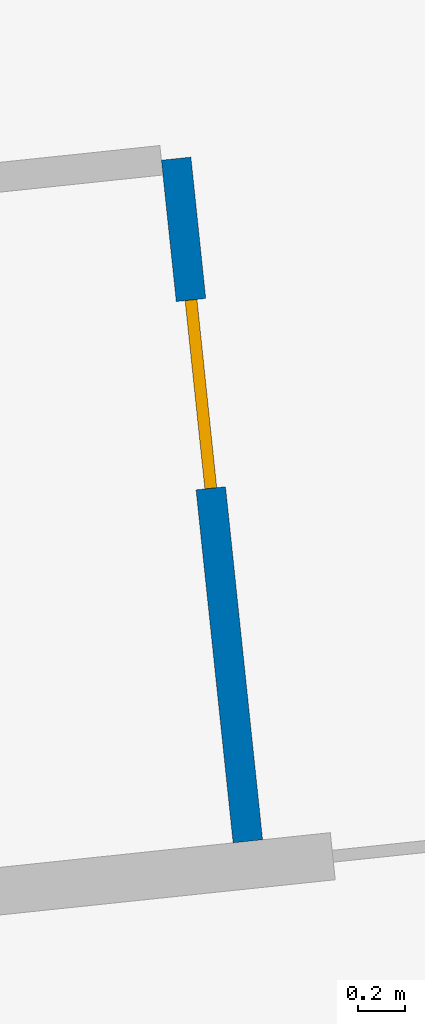
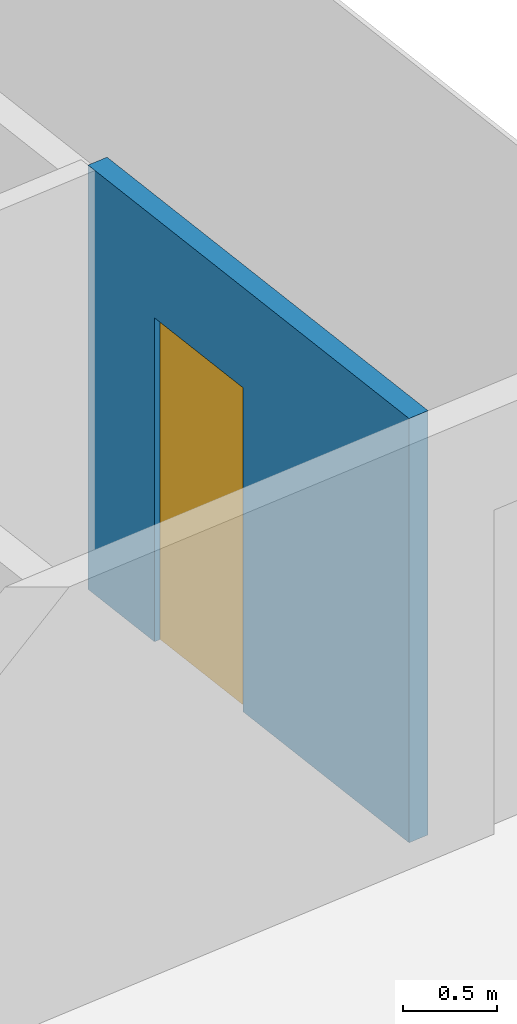
# One storey, part 18 of 27: 1 door, 1 wall, 1 opening.
"""IFC4 building model written with IfcOpenShell, lengths in metres."""

import ifcopenshell
import ifcopenshell.guid

model = None  # the IFC model being written
_history = None  # IfcOwnerHistory: only IFC2X3 demands one
_inside = {}  # id of a spatial element -> (the spatial element, [elements in it])
_under = {}  # id of a project, library or spatial element -> (it, [spatial elements below it])
_declared = {}  # id of a project -> (the project, [libraries it declares])
_typed = {}  # id of a type object -> (the type object, [elements of that type])
_made_of = {}  # id of a material, layer set ... -> (it, [elements and type objects made of it])


def new_model(schema):
    """Start an empty IFC model of exactly this schema.

    Asked for "IFC4X3", IfcOpenShell would pick the latest addendum, in which some entities
    have other attributes; the version numbers below select the first issue.
    IFC2X3 requires an IfcOwnerHistory on every rooted entity: one is made here for all.
    """
    global model, _history
    if schema == "IFC4X3":
        model = ifcopenshell.file(schema_version=(4, 3, 0, 0))
    else:
        model = ifcopenshell.file(schema=schema)
    _inside.clear()
    _under.clear()
    _declared.clear()
    _typed.clear()
    _made_of.clear()
    _history = None
    if model.schema == "IFC2X3":
        org = make("IfcOrganization", Name="unknown")
        user = make(
            "IfcPersonAndOrganization",
            ThePerson=make("IfcPerson", FamilyName="unknown"),
            TheOrganization=org,
        )
        app = make(
            "IfcApplication",
            ApplicationDeveloper=org,
            Version="unknown",
            ApplicationFullName="unknown",
            ApplicationIdentifier="unknown",
        )
        _history = make(
            "IfcOwnerHistory",
            OwningUser=user,
            OwningApplication=app,
            ChangeAction="ADDED",
            CreationDate=0,
        )
    return model


def make(cls, **values):
    """One entity of the class cls with the attributes given. An attribute that is None is left unset."""
    return model.create_entity(
        cls, **{name: value for name, value in values.items() if value is not None}
    )


def rooted(cls, **values):
    """An entity with a GlobalId (a new one), such as an element, a storey or a relation."""
    return make(cls, GlobalId=ifcopenshell.guid.new(), OwnerHistory=_history, **values)


def si_unit(unit_type, name, prefix=None):
    """IfcSIUnit, for example si_unit("LENGTHUNIT", "METRE", prefix="MILLI")."""
    return make("IfcSIUnit", UnitType=unit_type, Prefix=prefix, Name=name)


def assignment(units):
    """IfcUnitAssignment: the units of a project."""
    return None if units is None else make("IfcUnitAssignment", Units=units)


def point(xyz):
    """IfcCartesianPoint."""
    return None if xyz is None else make("IfcCartesianPoint", Coordinates=xyz)


def direction(xyz):
    """IfcDirection."""
    return None if xyz is None else make("IfcDirection", DirectionRatios=xyz)


def frame(location, z_axis=None, x_axis=None):
    """IfcAxis2Placement3D, a coordinate frame: its origin and axes. An axis left out is left unset."""
    return make(
        "IfcAxis2Placement3D",
        Location=point(location),
        Axis=direction(z_axis),
        RefDirection=direction(x_axis),
    )


def frame_2d(location, x_axis=None):
    """IfcAxis2Placement2D, a coordinate frame in the plane: its origin and x axis."""
    return make(
        "IfcAxis2Placement2D", Location=point(location), RefDirection=direction(x_axis)
    )


def origin():
    """The frame at (0, 0, 0) with its axes left unset."""
    return frame((0.0, 0.0, 0.0))


def place(relative_to, where):
    """IfcLocalPlacement: puts the frame where relative to a parent placement (None: the world)."""
    return make(
        "IfcLocalPlacement", PlacementRelTo=relative_to, RelativePlacement=where
    )


def context(
    kind, dimensions, precision=None, world=None, true_north=None, identifier=None
):
    """IfcGeometricRepresentationContext, for example the 3D "Model" context."""
    return make(
        "IfcGeometricRepresentationContext",
        ContextIdentifier=identifier,
        ContextType=kind,
        CoordinateSpaceDimension=dimensions,
        Precision=precision,
        WorldCoordinateSystem=world,
        TrueNorth=true_north,
    )


def subcontext(parent, identifier, kind, view, scale=None):
    """IfcGeometricRepresentationSubContext, for example "Body" below "Model"."""
    return make(
        "IfcGeometricRepresentationSubContext",
        ContextIdentifier=identifier,
        ContextType=kind,
        ParentContext=parent,
        TargetScale=scale,
        TargetView=view,
    )


def project(units=None, contexts=None):
    """IfcProject with its units and contexts."""
    return rooted(
        "IfcProject",
        Name="project",
        RepresentationContexts=contexts,
        UnitsInContext=assignment(units),
    )


def spatial(cls, under=None, at=None, **own):
    """A site, building, storey or space (cls), placed at a placement, below another one or the project."""
    s = rooted(cls, ObjectPlacement=at, **own)
    if under is not None:
        _under.setdefault(under.id(), (under, []))[1].append(s)
    return s


def profile(cls, at=None, kind="AREA", **sizes):
    """A parametric profile (cls). Its sizes go by their IFC names, for example OverallWidth=200.0."""
    return make(cls, ProfileType=kind, Position=at, **sizes)


def rectangle(**sizes):
    """IfcRectangleProfileDef."""
    return profile("IfcRectangleProfileDef", **sizes)


def extrude(swept, where, along, depth):
    """IfcExtrudedAreaSolid: the profile swept, set in the frame where, extruded along a direction by depth."""
    return make(
        "IfcExtrudedAreaSolid",
        SweptArea=swept,
        Position=where,
        ExtrudedDirection=direction(along),
        Depth=depth,
    )


def shape(context_of_items, identifier, shape_type, items):
    """IfcShapeRepresentation: the items that make up one representation, for example the "Body"."""
    return make(
        "IfcShapeRepresentation",
        ContextOfItems=context_of_items,
        RepresentationIdentifier=identifier,
        RepresentationType=shape_type,
        Items=items,
    )


def material(Name=None, Category=None):
    """IfcMaterial."""
    return make("IfcMaterial", Name=Name, Category=Category)


def layer(
    of_material, thickness, ventilated=None, Name=None, Category=None, Priority=None
):
    """IfcMaterialLayer: one layer of a wall or slab, of a material (None: an air gap)."""
    return make(
        "IfcMaterialLayer",
        Material=of_material,
        LayerThickness=thickness,
        IsVentilated=ventilated,
        Name=Name,
        Category=Category,
        Priority=Priority,
    )


def layer_set(layers, Name=None):
    """IfcMaterialLayerSet."""
    return make("IfcMaterialLayerSet", MaterialLayers=layers, LayerSetName=Name)


def made_of(thing, what):
    """Note that an element or type object is made of a material, layer set ...; save() writes the relation."""
    if what is not None:
        _made_of.setdefault(what.id(), (what, []))[1].append(thing)
    return thing


def type_object(cls, material=None, **own):
    """A type object (cls), such as IfcWallType, which elements share."""
    return made_of(rooted(cls, **own), material)


def element(
    cls,
    number,
    at=None,
    inside=None,
    cuts=None,
    type_object=None,
    material=None,
    context=None,
    identifier="Body",
    shape_type=None,
    held_by="IfcProductDefinitionShape",
    body=None,
    shapes=None,
    **own,
):
    """One element of the class cls, such as IfcWall. Its Tag is "e" and its number.

    at: its placement. inside: the storey or other place that contains it. cuts: it is an
    opening in that element (IfcRelVoidsElement). A single representation is given by context,
    identifier, shape_type and body (its items); several are given by shapes. held_by: the class
    of the entity that holds the representations. save() writes the other relations.
    """
    e = rooted(cls, Tag="e%d" % number, ObjectPlacement=at, **own)
    if body is not None:
        shapes = [shape(context, identifier, shape_type, body)]
    if shapes is not None:
        e.Representation = make(held_by, Representations=shapes)
    if inside is not None:
        _inside.setdefault(inside.id(), (inside, []))[1].append(e)
    if cuts is not None:
        rooted(
            "IfcRelVoidsElement", RelatingBuildingElement=cuts, RelatedOpeningElement=e
        )
    if type_object is not None:
        _typed.setdefault(type_object.id(), (type_object, []))[1].append(e)
    return made_of(e, material)


def fill(opening, filler):
    """IfcRelFillsElement: the door or window that sits in an opening."""
    return rooted(
        "IfcRelFillsElement",
        RelatingOpeningElement=opening,
        RelatedBuildingElement=filler,
    )


def aggregate(whole, parts):
    """IfcRelAggregates: a whole, such as a stair, and the parts it consists of."""
    return rooted("IfcRelAggregates", RelatingObject=whole, RelatedObjects=parts)


def save(model, path):
    """Write the relations noted so far, then the file.

    IfcRelAggregates (storeys below a building ...), IfcRelContainedInSpatialStructure (elements
    in a storey), IfcRelDefinesByType, IfcRelAssociatesMaterial and IfcRelDeclares: one each for
    every whole, place, type object, material and project.
    """
    for whole, parts in _under.values():
        aggregate(whole, parts)
    for where, things in _inside.values():
        rooted(
            "IfcRelContainedInSpatialStructure",
            RelatedElements=things,
            RelatingStructure=where,
        )
    for kind, things in _typed.values():
        rooted("IfcRelDefinesByType", RelatedObjects=things, RelatingType=kind)
    for what, things in _made_of.values():
        rooted("IfcRelAssociatesMaterial", RelatedObjects=things, RelatingMaterial=what)
    for by, libraries in _declared.values():
        rooted("IfcRelDeclares", RelatingContext=by, RelatedDefinitions=libraries)
    model.write(path)


model = new_model("IFC4")

# Units and contexts
model_context = context("Model", 3, precision=1e-05, world=origin(), true_north=direction((0.0, 1.0)))
body_context = subcontext(model_context, "Body", "Model", "MODEL_VIEW")
ifc_project = project(units=[si_unit("LENGTHUNIT", "METRE"), si_unit("AREAUNIT", "SQUARE_METRE"), si_unit("VOLUMEUNIT", "CUBIC_METRE"), si_unit("PLANEANGLEUNIT", "RADIAN"), si_unit("MASSUNIT", "GRAM", prefix="KILO")], contexts=[model_context])

# Site, building, storey
site_placement = place(None, origin())
site = spatial("IfcSite", under=ifc_project, at=site_placement, CompositionType="ELEMENT")
building_placement = place(site_placement, origin())
building = spatial("IfcBuilding", under=site, at=building_placement, Name="Hakoniwa Tower and Hamabe Station Hall", CompositionType="ELEMENT")
storey_placement = place(building_placement, frame((0.0, 0.0, 255.0)))
storey = spatial("IfcBuildingStorey", under=building, at=storey_placement, Name="L72", CompositionType="ELEMENT", Elevation=255.0)

# Wall, opening, door
ifc_material_1 = material(Name="Gypsum board partition", Category="gypsum")
ifc_layer = layer(ifc_material_1, 0.125)
ifc_layer_set = layer_set([ifc_layer], Name="Bathroom Partition 125")
wall_type = type_object("IfcWallType", Name="Bathroom Partition 125", PredefinedType="PARTITIONING", material=ifc_layer_set)
wall_placement = place(storey_placement, frame((35.23193359375, 12.64990234375, 0.0), z_axis=(0.0, 0.0, 1.0), x_axis=(-0.104470059912, 0.994528032074, 0.0)))
wall = element("IfcWall", 1, at=wall_placement, inside=storey, type_object=wall_type, Name="GW-L72-047", PredefinedType="PARTITIONING", context=body_context, shape_type="SweptSolid", body=[
    extrude(rectangle(XDim=2.900146484375, YDim=0.125, at=frame_2d((1.4501953125, 0.0))), origin(), (0.0, 0.0, 1.0), 2.75),
])
opening_placement = place(wall_placement, frame((1.5, 0.0, 0.0)))
opening = element("IfcOpeningElement", 2, at=opening_placement, cuts=wall, Name="Opening GD-G5B1-33", PredefinedType="OPENING", context=body_context, shape_type="SweptSolid", body=[
    extrude(rectangle(XDim=0.800048828125, YDim=2.10009765625, at=frame_2d((0.39990234375, 1.050048828125))), frame((0.0, 0.072509765625, 0.0), z_axis=(0.0, -1.0, 0.0), x_axis=(1.0, 0.0, 0.0)), (0.0, 0.0, 1.0), 0.14501953125),
])
ifc_material_2 = material(Name="Timber door leaf", Category="wood")
door_type = type_object("IfcDoorType", Name="Bathroom Door 800", OperationType="SINGLE_SWING_LEFT", PredefinedType="DOOR", material=ifc_material_2)
door_placement = place(opening_placement, origin())
door = element("IfcDoor", 3, at=door_placement, inside=storey, type_object=door_type, Name="Door GD-G5B1-33", OperationType="SINGLE_SWING_LEFT", OverallHeight=2.10009765625, OverallWidth=0.800048828125, PredefinedType="DOOR", context=body_context, shape_type="SweptSolid", body=[
    extrude(rectangle(XDim=0.800048828125, YDim=2.10009765625, at=frame_2d((0.39990234375, 1.050048828125))), frame((0.0, 0.02490234375, 0.0), z_axis=(0.0, -1.0, 0.0), x_axis=(1.0, 0.0, 0.0)), (0.0, 0.0, 1.0), 0.050048828125),
])
fill(opening, door)

save(model, "model.ifc")
